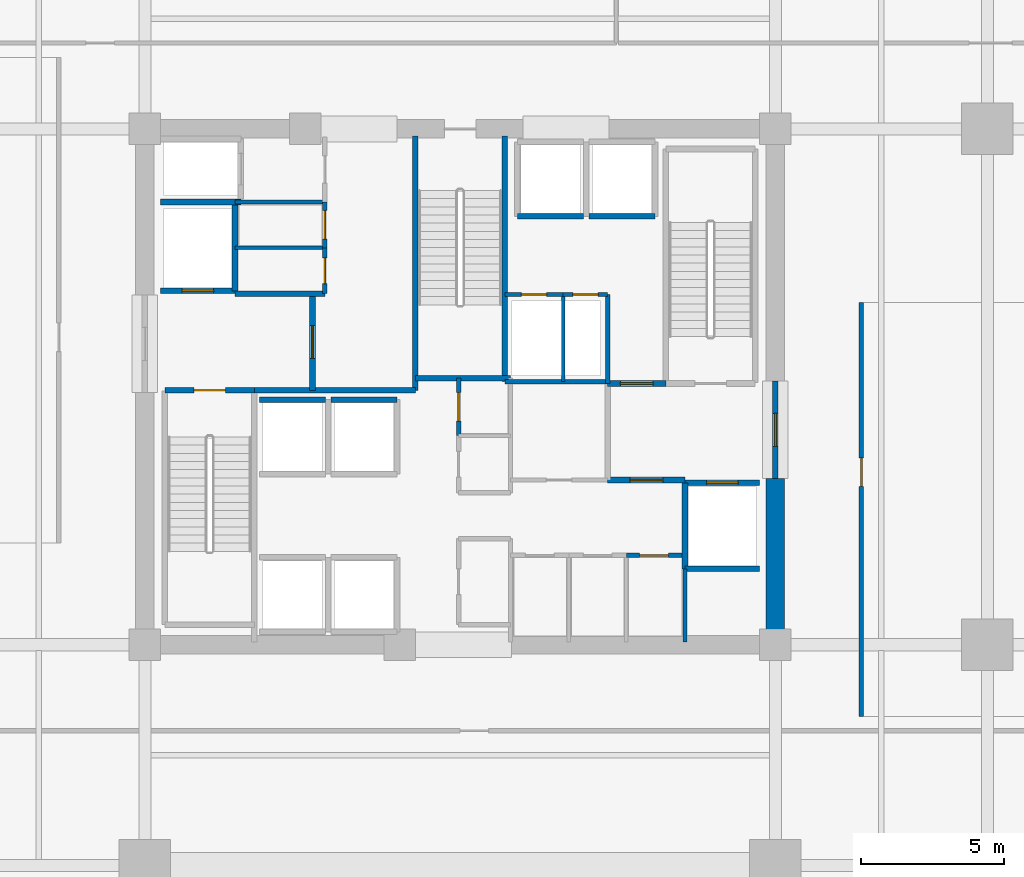
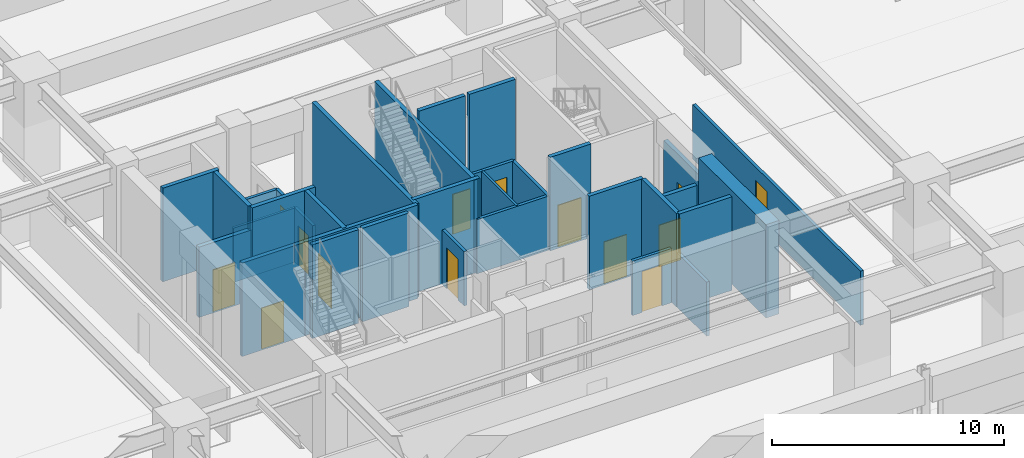
# One storey, part 36 of 43: 34 walls, 14 doors, 14 openings.
"""IFC4 building model written with IfcOpenShell, lengths in metres."""

from ifc_helpers import new_model, si_unit, direction, frame, frame_2d, origin, place, context, subcontext, project, spatial, rectangle, extrude, material, layer, layer_set, type_object, element, fill, save


model = new_model("IFC4")

# Units and contexts
model_context = context("Model", 3, precision=1e-05, world=origin(), true_north=direction((0.0, 1.0)))
body_context = subcontext(model_context, "Body", "Model", "MODEL_VIEW")
ifc_project = project(units=[si_unit("LENGTHUNIT", "METRE"), si_unit("AREAUNIT", "SQUARE_METRE"), si_unit("VOLUMEUNIT", "CUBIC_METRE"), si_unit("PLANEANGLEUNIT", "RADIAN"), si_unit("MASSUNIT", "GRAM", prefix="KILO")], contexts=[model_context])

# Site, building, storey
site_placement = place(None, origin())
site = spatial("IfcSite", under=ifc_project, at=site_placement, CompositionType="ELEMENT")
building_placement = place(site_placement, origin())
building = spatial("IfcBuilding", under=site, at=building_placement, Name="Kovane Verandah Tower", CompositionType="ELEMENT")
storey_placement = place(building_placement, frame((0.0, 0.0, 11.199951171875)))
storey = spatial("IfcBuildingStorey", under=building, at=storey_placement, Name="L02", CompositionType="ELEMENT", Elevation=11.199951171875)

# Wall, opening, door
ifc_material_1 = material(Name="Fire-Rated Gypsum Stud Partition", Category="gypsum")
ifc_layer_1 = layer(ifc_material_1, 0.14990234375)
ifc_layer_set_1 = layer_set([ifc_layer_1], Name="Fire-Rated Gypsum Stud Partition")
wall_type_1 = type_object("IfcWallType", Name="WL-COR-150", PredefinedType="PARTITIONING", material=ifc_layer_set_1)
wall_1_placement = place(storey_placement, frame((39.949951171875, 25.800048828125, 0.0), z_axis=(0.0, 0.0, 1.0), x_axis=(0.0, 1.0, 0.0)))
wall_1 = element("IfcWall", 1, at=wall_1_placement, inside=storey, type_object=wall_type_1, Name="L02 Central First Aid and Wellness Room Partition", PredefinedType="PARTITIONING", context=body_context, shape_type="SweptSolid", body=[
    extrude(rectangle(XDim=2.0, YDim=0.14990234375, at=frame_2d((1.0, 0.0))), origin(), (0.0, 0.0, 1.0), 2.85009765625),
])
opening_1_placement = place(wall_1_placement, frame((0.5, 0.0, 0.0)))
opening_1 = element("IfcOpeningElement", 2, at=opening_1_placement, cuts=wall_1, Name="Opening DR-L02-025", PredefinedType="OPENING", context=body_context, shape_type="SweptSolid", body=[
    extrude(rectangle(XDim=1.0, YDim=2.14990234375, at=frame_2d((0.5, 1.074951171875))), frame((0.0, 0.074951171875, 0.0), z_axis=(0.0, -1.0, 0.0), x_axis=(1.0, 0.0, 0.0)), (0.0, 0.0, 1.0), 0.14990234375),
])
ifc_material_2 = material(Name="FSC Spotted-Gum Timber Fire-Rated Office Door", Category="wood")
door_type_1 = type_object("IfcDoorType", Name="DR-OFF-1000", OperationType="SINGLE_SWING_LEFT", PredefinedType="DOOR", material=ifc_material_2)
door_1_placement = place(opening_1_placement, origin())
door_1 = element("IfcDoor", 3, at=door_1_placement, inside=storey, type_object=door_type_1, Name="L02 Central First Aid and Wellness Room Door", OperationType="SINGLE_SWING_LEFT", OverallHeight=2.14990234375, OverallWidth=1.0, PredefinedType="DOOR", context=body_context, shape_type="SweptSolid", body=[
    extrude(rectangle(XDim=1.0, YDim=2.14990234375, at=frame_2d((0.5, 1.074951171875))), frame((0.0, 0.02490234375, 0.0), z_axis=(0.0, -1.0, 0.0), x_axis=(1.0, 0.0, 0.0)), (0.0, 0.0, 1.0), 0.050048828125),
])
fill(opening_1, door_1)

# Wall
wall_2_placement = place(storey_placement, frame((32.14990234375, 33.949951171875, 0.0), z_axis=(0.0, 0.0, 1.0), x_axis=(1.0, 0.0, 0.0)))
element("IfcWall", 4, at=wall_2_placement, inside=storey, type_object=wall_type_1, Name="L02 Goods Lift Lobby South Wall", PredefinedType="PARTITIONING", context=body_context, shape_type="SweptSolid", body=[
    extrude(rectangle(XDim=3.130126953125, YDim=0.14990234375, at=frame_2d((1.56494140625, 0.0))), origin(), (0.0, 0.0, 1.0), 2.85009765625),
])

# Wall, opening, door
wall_3_placement = place(storey_placement, frame((35.280029296875, 30.75, 0.0), z_axis=(0.0, 0.0, 1.0), x_axis=(0.0, 1.0, 0.0)))
wall_3 = element("IfcWall", 5, at=wall_3_placement, inside=storey, type_object=wall_type_1, Name="L02 Accessible Unisex Toilet Partition", PredefinedType="PARTITIONING", context=body_context, shape_type="SweptSolid", body=[
    extrude(rectangle(XDim=1.60009765625, YDim=0.14990234375, at=frame_2d((0.800048828125, 0.0))), origin(), (0.0, 0.0, 1.0), 2.85009765625),
])
opening_2_placement = place(wall_3_placement, frame((0.35009765625, 0.0, 0.0)))
opening_2 = element("IfcOpeningElement", 6, at=opening_2_placement, cuts=wall_3, Name="Opening DR-L02-027", PredefinedType="OPENING", context=body_context, shape_type="SweptSolid", body=[
    extrude(rectangle(XDim=0.89990234375, YDim=2.10009765625, at=frame_2d((0.449951171875, 1.050048828125))), frame((0.0, 0.074951171875, 0.0), z_axis=(0.0, -1.0, 0.0), x_axis=(1.0, 0.0, 0.0)), (0.0, 0.0, 1.0), 0.14990234375),
])
ifc_material_3 = material(Name="Moisture-Resistant Laminate Washroom Door", Category="wood")
door_type_2 = type_object("IfcDoorType", Name="DR-WC-900", OperationType="SINGLE_SWING_LEFT", PredefinedType="DOOR", material=ifc_material_3)
door_2_placement = place(opening_2_placement, origin())
door_2 = element("IfcDoor", 7, at=door_2_placement, inside=storey, type_object=door_type_2, Name="L02 Accessible Unisex Toilet Door", OperationType="SINGLE_SWING_LEFT", OverallHeight=2.10009765625, OverallWidth=0.89990234375, PredefinedType="DOOR", context=body_context, shape_type="SweptSolid", body=[
    extrude(rectangle(XDim=0.89990234375, YDim=2.10009765625, at=frame_2d((0.449951171875, 1.050048828125))), frame((0.0, 0.02490234375, 0.0), z_axis=(0.0, -1.0, 0.0), x_axis=(1.0, 0.0, 0.0)), (0.0, 0.0, 1.0), 0.050048828125),
])
fill(opening_2, door_2)

wall_4_placement = place(storey_placement, frame((35.280029296875, 32.35009765625, 0.0), z_axis=(0.0, 0.0, 1.0), x_axis=(0.0, 1.0, 0.0)))
wall_4 = element("IfcWall", 8, at=wall_4_placement, inside=storey, type_object=wall_type_1, Name="L02 North-West First Aid Room Partition", PredefinedType="PARTITIONING", context=body_context, shape_type="SweptSolid", body=[
    extrude(rectangle(XDim=1.599853515625, YDim=0.14990234375, at=frame_2d((0.7998046875, 0.0))), origin(), (0.0, 0.0, 1.0), 2.85009765625),
])
opening_3_placement = place(wall_4_placement, frame((0.300048828125, 0.0, 0.0)))
opening_3 = element("IfcOpeningElement", 9, at=opening_3_placement, cuts=wall_4, Name="Opening DR-L02-014", PredefinedType="OPENING", context=body_context, shape_type="SweptSolid", body=[
    extrude(rectangle(XDim=1.0, YDim=2.14990234375, at=frame_2d((0.5, 1.074951171875))), frame((0.0, 0.074951171875, 0.0), z_axis=(0.0, -1.0, 0.0), x_axis=(1.0, 0.0, 0.0)), (0.0, 0.0, 1.0), 0.14990234375),
])
door_3_placement = place(opening_3_placement, origin())
door_3 = element("IfcDoor", 10, at=door_3_placement, inside=storey, type_object=door_type_1, Name="L02 North-West First Aid Room Door", OperationType="SINGLE_SWING_RIGHT", OverallHeight=2.14990234375, OverallWidth=1.0, PredefinedType="DOOR", context=body_context, shape_type="SweptSolid", body=[
    extrude(rectangle(XDim=1.0, YDim=2.14990234375, at=frame_2d((0.5, 1.074951171875))), frame((0.0, 0.02490234375, 0.0), z_axis=(0.0, -1.0, 0.0), x_axis=(1.0, 0.0, 0.0)), (0.0, 0.0, 1.0), 0.050048828125),
])
fill(opening_3, door_3)

# Walls
wall_5_placement = place(storey_placement, frame((41.56005859375, 27.679931640625, 0.0), z_axis=(0.0, 0.0, 1.0), x_axis=(1.0, 0.0, 0.0)))
element("IfcWall", 11, at=wall_5_placement, inside=storey, type_object=wall_type_1, Name="L02 East Core Service Riser South Wall", PredefinedType="PARTITIONING", context=body_context, shape_type="SweptSolid", body=[
    extrude(rectangle(XDim=3.58984375, YDim=0.14990234375, at=frame_2d((1.794921875, 0.0))), origin(), (0.0, 0.0, 1.0), 2.85009765625),
])
wall_6_placement = place(storey_placement, frame((47.85009765625, 18.60009765625, 0.0), z_axis=(0.0, 0.0, 1.0), x_axis=(0.0, 1.0, 0.0)))
element("IfcWall", 12, at=wall_6_placement, inside=storey, type_object=wall_type_1, Name="L02 East Core Support East Wall", PredefinedType="PARTITIONING", context=body_context, shape_type="SweptSolid", body=[
    extrude(rectangle(XDim=2.539794921875, YDim=0.14990234375, at=frame_2d((1.27001953125, 0.0))), origin(), (0.0, 0.0, 1.0), 2.85009765625),
])

# Wall, opening, door
wall_7_placement = place(storey_placement, frame((45.800048828125, 21.6201171875, 0.0), z_axis=(0.0, 0.0, 1.0), x_axis=(1.0, 0.0, 0.0)))
wall_7 = element("IfcWall", 13, at=wall_7_placement, inside=storey, type_object=wall_type_1, Name="L02 Quiet Wellness Room Partition", PredefinedType="PARTITIONING", context=body_context, shape_type="SweptSolid", body=[
    extrude(rectangle(XDim=1.93994140625, YDim=0.14990234375, at=frame_2d((0.969970703125, 0.0))), origin(), (0.0, 0.0, 1.0), 2.85009765625),
])
opening_4_placement = place(wall_7_placement, frame((0.469970703125, 0.0, 0.0)))
opening_4 = element("IfcOpeningElement", 14, at=opening_4_placement, cuts=wall_7, Name="Opening DR-L02-018", PredefinedType="OPENING", context=body_context, shape_type="SweptSolid", body=[
    extrude(rectangle(XDim=1.0, YDim=2.14990234375, at=frame_2d((0.5, 1.074951171875))), frame((0.0, 0.074951171875, 0.0), z_axis=(0.0, -1.0, 0.0), x_axis=(1.0, 0.0, 0.0)), (0.0, 0.0, 1.0), 0.14990234375),
])
door_4_placement = place(opening_4_placement, origin())
door_4 = element("IfcDoor", 15, at=door_4_placement, inside=storey, type_object=door_type_1, Name="L02 Quiet Wellness Room Door", OperationType="SINGLE_SWING_LEFT", OverallHeight=2.14990234375, OverallWidth=1.0, PredefinedType="DOOR", context=body_context, shape_type="SweptSolid", body=[
    extrude(rectangle(XDim=1.0, YDim=2.14990234375, at=frame_2d((0.5, 1.074951171875))), frame((0.0, 0.02490234375, 0.0), z_axis=(0.0, -1.0, 0.0), x_axis=(1.0, 0.0, 0.0)), (0.0, 0.0, 1.0), 0.050048828125),
])
fill(opening_4, door_4)

# Wall
wall_8_placement = place(storey_placement, frame((45.14990234375, 27.6201171875, 0.0), z_axis=(0.0, 0.0, 1.0), x_axis=(0.0, 1.0, 0.0)))
element("IfcWall", 16, at=wall_8_placement, inside=storey, type_object=wall_type_1, Name="L02 East Core Service Riser East Wall", PredefinedType="PARTITIONING", context=body_context, shape_type="SweptSolid", body=[
    extrude(rectangle(XDim=3.099853515625, YDim=0.14990234375, at=frame_2d((1.5498046875, 0.0))), origin(), (0.0, 0.0, 1.0), 2.85009765625),
])

# Wall, opening, door
wall_9_placement = place(storey_placement, frame((41.56005859375, 30.719970703125, 0.0), z_axis=(0.0, 0.0, 1.0), x_axis=(1.0, 0.0, 0.0)))
wall_9 = element("IfcWall", 17, at=wall_9_placement, inside=storey, type_object=wall_type_1, Name="L02 Electrical Sub-Main Riser Room Partition", PredefinedType="PARTITIONING", context=body_context, shape_type="SweptSolid", body=[
    extrude(rectangle(XDim=2.0400390625, YDim=0.14990234375, at=frame_2d((1.02001953125, 0.0))), origin(), (0.0, 0.0, 1.0), 2.85009765625),
])
opening_5_placement = place(wall_9_placement, frame((0.580078125, 0.0, 0.0)))
opening_5 = element("IfcOpeningElement", 18, at=opening_5_placement, cuts=wall_9, Name="Opening DR-L02-020", PredefinedType="OPENING", context=body_context, shape_type="SweptSolid", body=[
    extrude(rectangle(XDim=0.8798828125, YDim=2.10009765625, at=frame_2d((0.43994140625, 1.050048828125))), frame((0.0, 0.074951171875, 0.0), z_axis=(0.0, -1.0, 0.0), x_axis=(1.0, 0.0, 0.0)), (0.0, 0.0, 1.0), 0.14990234375),
])
ifc_material_4 = material(Name="Fire-Rated Steel Riser Access Door", Category="steel")
door_type_3 = type_object("IfcDoorType", Name="DR-RISER-880", OperationType="SINGLE_SWING_LEFT", PredefinedType="DOOR", material=ifc_material_4)
door_5_placement = place(opening_5_placement, origin())
door_5 = element("IfcDoor", 19, at=door_5_placement, inside=storey, type_object=door_type_3, Name="L02 Electrical Sub-Main Riser Room Door", OperationType="SINGLE_SWING_LEFT", OverallHeight=2.10009765625, OverallWidth=0.8798828125, PredefinedType="DOOR", context=body_context, shape_type="SweptSolid", body=[
    extrude(rectangle(XDim=0.8798828125, YDim=2.10009765625, at=frame_2d((0.43994140625, 1.050048828125))), frame((0.0, 0.02490234375, 0.0), z_axis=(0.0, -1.0, 0.0), x_axis=(1.0, 0.0, 0.0)), (0.0, 0.0, 1.0), 0.050048828125),
])
fill(opening_5, door_5)

wall_10_placement = place(storey_placement, frame((43.60009765625, 30.719970703125, 0.0), z_axis=(0.0, 0.0, 1.0), x_axis=(1.0, 0.0, 0.0)))
wall_10 = element("IfcWall", 20, at=wall_10_placement, inside=storey, type_object=wall_type_1, Name="L02 Sprinkler Wet Riser Room Partition", PredefinedType="PARTITIONING", context=body_context, shape_type="SweptSolid", body=[
    extrude(rectangle(XDim=1.5498046875, YDim=0.14990234375, at=frame_2d((0.77490234375, 0.0))), origin(), (0.0, 0.0, 1.0), 2.85009765625),
])
opening_6_placement = place(wall_10_placement, frame((0.3349609375, 0.0, 0.0)))
opening_6 = element("IfcOpeningElement", 21, at=opening_6_placement, cuts=wall_10, Name="Opening DR-L02-021", PredefinedType="OPENING", context=body_context, shape_type="SweptSolid", body=[
    extrude(rectangle(XDim=0.8798828125, YDim=2.10009765625, at=frame_2d((0.43994140625, 1.050048828125))), frame((0.0, 0.074951171875, 0.0), z_axis=(0.0, -1.0, 0.0), x_axis=(1.0, 0.0, 0.0)), (0.0, 0.0, 1.0), 0.14990234375),
])
door_6_placement = place(opening_6_placement, origin())
door_6 = element("IfcDoor", 22, at=door_6_placement, inside=storey, type_object=door_type_3, Name="L02 Sprinkler Wet Riser Room Door", OperationType="SINGLE_SWING_RIGHT", OverallHeight=2.10009765625, OverallWidth=0.8798828125, PredefinedType="DOOR", context=body_context, shape_type="SweptSolid", body=[
    extrude(rectangle(XDim=0.8798828125, YDim=2.10009765625, at=frame_2d((0.43994140625, 1.050048828125))), frame((0.0, 0.02490234375, 0.0), z_axis=(0.0, -1.0, 0.0), x_axis=(1.0, 0.0, 0.0)), (0.0, 0.0, 1.0), 0.050048828125),
])
fill(opening_6, door_6)

wall_11_placement = place(storey_placement, frame((54.0, 16.0, 0.0), z_axis=(0.0, 0.0, 1.0), x_axis=(0.0, 1.0, 0.0)))
wall_11 = element("IfcWall", 23, at=wall_11_placement, inside=storey, type_object=wall_type_1, Name="L02 East Tenant Business Lounge Corridor Partition", PredefinedType="PARTITIONING", context=body_context, shape_type="SweptSolid", body=[
    extrude(rectangle(XDim=14.449951171875, YDim=0.14990234375, at=frame_2d((7.22509765625, 0.0))), origin(), (0.0, 0.0, 1.0), 2.85009765625),
])
opening_7_placement = place(wall_11_placement, frame((8.02490234375, 0.0, 0.0)))
opening_7 = element("IfcOpeningElement", 24, at=opening_7_placement, cuts=wall_11, Name="Opening DR-L02-015", PredefinedType="OPENING", context=body_context, shape_type="SweptSolid", body=[
    extrude(rectangle(XDim=1.0, YDim=2.14990234375, at=frame_2d((0.5, 1.074951171875))), frame((0.0, 0.074951171875, 0.0), z_axis=(0.0, -1.0, 0.0), x_axis=(1.0, 0.0, 0.0)), (0.0, 0.0, 1.0), 0.14990234375),
])
door_7_placement = place(opening_7_placement, origin())
door_7 = element("IfcDoor", 25, at=door_7_placement, inside=storey, type_object=door_type_1, Name="L02 East Tenant Business Lounge Entrance Door", OperationType="SINGLE_SWING_LEFT", OverallHeight=2.14990234375, OverallWidth=1.0, PredefinedType="DOOR", context=body_context, shape_type="SweptSolid", body=[
    extrude(rectangle(XDim=1.0, YDim=2.14990234375, at=frame_2d((0.5, 1.074951171875))), frame((0.0, 0.02490234375, 0.0), z_axis=(0.0, -1.0, 0.0), x_axis=(1.0, 0.0, 0.0)), (0.0, 0.0, 1.0), 0.050048828125),
])
fill(opening_7, door_7)

# Wall
ifc_material_5 = material(Name="Concrete C80/95", Category="concrete")
ifc_layer_2 = layer(ifc_material_5, 0.64990234375)
ifc_layer_set_2 = layer_set([ifc_layer_2], Name="Concrete C80/95")
wall_type_2 = type_object("IfcWallType", Name="WL-CORE-650", PredefinedType="SHEAR", material=ifc_layer_set_2)
wall_12_placement = place(storey_placement, frame((51.0, 18.5, 0.0), z_axis=(0.0, 0.0, 1.0), x_axis=(0.0, 1.0, 0.0)))
element("IfcWall", 26, at=wall_12_placement, inside=storey, type_object=wall_type_2, Name="L02 Core Shear Wall CE-1", PredefinedType="SHEAR", context=body_context, shape_type="SweptSolid", body=[
    extrude(rectangle(XDim=5.800048828125, YDim=0.64990234375, at=frame_2d((2.89990234375, 0.0))), origin(), (0.0, 0.0, 1.0), 4.920166015625),
])

# Wall, opening, door
ifc_material_6 = material(Name="Concrete C45/55 Fire Wall", Category="concrete")
ifc_layer_3 = layer(ifc_material_6, 0.199951171875)
ifc_layer_set_3 = layer_set([ifc_layer_3], Name="Concrete C45/55 Fire Wall")
wall_type_3 = type_object("IfcWallType", Name="WL-FFL-200", PredefinedType="PARTITIONING", material=ifc_layer_set_3)
wall_13_placement = place(storey_placement, frame((34.85009765625, 27.3798828125, 0.0), z_axis=(0.0, 0.0, 1.0), x_axis=(0.0, 1.0, 0.0)))
wall_13 = element("IfcWall", 27, at=wall_13_placement, inside=storey, type_object=wall_type_3, Name="W-L02-FFLW-E", PredefinedType="PARTITIONING", context=body_context, shape_type="SweptSolid", body=[
    extrude(rectangle(XDim=3.3701171875, YDim=0.199951171875, at=frame_2d((1.68505859375, 0.0))), origin(), (0.0, 0.0, 1.0), 4.920166015625),
])
opening_8_placement = place(wall_13_placement, frame((1.110107421875, 0.0, 0.0)))
opening_8 = element("IfcOpeningElement", 28, at=opening_8_placement, cuts=wall_13, Name="Opening DR-L02-004", PredefinedType="OPENING", context=body_context, shape_type="SweptSolid", body=[
    extrude(rectangle(XDim=1.14990234375, YDim=2.199951171875, at=frame_2d((0.574951171875, 1.10009765625))), frame((0.0, 0.10009765625, 0.0), z_axis=(0.0, -1.0, 0.0), x_axis=(1.0, 0.0, 0.0)), (0.0, 0.0, 1.0), 0.199951171875),
])
ifc_material_7 = material(Name="Smoke-Sealed Firefighting Lobby Door", Category="steel")
door_type_4 = type_object("IfcDoorType", Name="DR-FFL-1150", OperationType="SINGLE_SWING_LEFT", PredefinedType="DOOR", material=ifc_material_7)
door_8_placement = place(opening_8_placement, origin())
door_8 = element("IfcDoor", 29, at=door_8_placement, inside=storey, type_object=door_type_4, Name="L02 West Firefighting Lobby Inner Door", OperationType="SINGLE_SWING_LEFT", OverallHeight=2.199951171875, OverallWidth=1.14990234375, PredefinedType="DOOR", context=body_context, shape_type="SweptSolid", body=[
    extrude(rectangle(XDim=1.14990234375, YDim=2.199951171875, at=frame_2d((0.574951171875, 1.10009765625))), frame((0.0, 0.02490234375, 0.0), z_axis=(0.0, -1.0, 0.0), x_axis=(1.0, 0.0, 0.0)), (0.0, 0.0, 1.0), 0.050048828125),
])
fill(opening_8, door_8)

# Walls
wall_14_placement = place(storey_placement, frame((32.820068359375, 27.3798828125, 0.0), z_axis=(0.0, 0.0, 1.0), x_axis=(1.0, 0.0, 0.0)))
element("IfcWall", 30, at=wall_14_placement, inside=storey, type_object=wall_type_3, Name="L02 West Firefighting Lobby South Fire Wall", PredefinedType="PARTITIONING", context=body_context, shape_type="SweptSolid", body=[
    extrude(rectangle(XDim=5.619873046875, YDim=0.199951171875, at=frame_2d((2.81005859375, 0.0))), origin(), (0.0, 0.0, 1.0), 4.920166015625),
])
wall_15_placement = place(storey_placement, frame((32.14990234375, 30.75, 0.0), z_axis=(0.0, 0.0, 1.0), x_axis=(1.0, 0.0, 0.0)))
element("IfcWall", 31, at=wall_15_placement, inside=storey, type_object=wall_type_3, Name="L02 West Firefighting Lobby North Fire Wall", PredefinedType="PARTITIONING", context=body_context, shape_type="SweptSolid", body=[
    extrude(rectangle(XDim=3.130126953125, YDim=0.199951171875, at=frame_2d((1.56494140625, 0.0))), origin(), (0.0, 0.0, 1.0), 4.920166015625),
])

# Wall, opening, door
wall_16_placement = place(storey_placement, frame((45.14990234375, 24.25, 0.0), z_axis=(0.0, 0.0, 1.0), x_axis=(1.0, 0.0, 0.0)))
wall_16 = element("IfcWall", 32, at=wall_16_placement, inside=storey, type_object=wall_type_3, Name="W-L02-FFLE-S", PredefinedType="PARTITIONING", context=body_context, shape_type="SweptSolid", body=[
    extrude(rectangle(XDim=2.7001953125, YDim=0.199951171875, at=frame_2d((1.35009765625, 0.0))), origin(), (0.0, 0.0, 1.0), 4.920166015625),
])
opening_9_placement = place(wall_16_placement, frame((0.77490234375, 0.0, 0.0)))
opening_9 = element("IfcOpeningElement", 33, at=opening_9_placement, cuts=wall_16, Name="Opening DR-L02-001", PredefinedType="OPENING", context=body_context, shape_type="SweptSolid", body=[
    extrude(rectangle(XDim=1.14990234375, YDim=2.199951171875, at=frame_2d((0.574951171875, 1.10009765625))), frame((0.0, 0.10009765625, 0.0), z_axis=(0.0, -1.0, 0.0), x_axis=(1.0, 0.0, 0.0)), (0.0, 0.0, 1.0), 0.199951171875),
])
door_9_placement = place(opening_9_placement, origin())
door_9 = element("IfcDoor", 34, at=door_9_placement, inside=storey, type_object=door_type_4, Name="L02 East Firefighting Lobby Inner Door", OperationType="SINGLE_SWING_RIGHT", OverallHeight=2.199951171875, OverallWidth=1.14990234375, PredefinedType="DOOR", context=body_context, shape_type="SweptSolid", body=[
    extrude(rectangle(XDim=1.14990234375, YDim=2.199951171875, at=frame_2d((0.574951171875, 1.10009765625))), frame((0.0, 0.02490234375, 0.0), z_axis=(0.0, -1.0, 0.0), x_axis=(1.0, 0.0, 0.0)), (0.0, 0.0, 1.0), 0.050048828125),
])
fill(opening_9, door_9)

wall_17_placement = place(storey_placement, frame((45.14990234375, 27.6201171875, 0.0), z_axis=(0.0, 0.0, 1.0), x_axis=(1.0, 0.0, 0.0)))
wall_17 = element("IfcWall", 35, at=wall_17_placement, inside=storey, type_object=wall_type_3, Name="W-L02-FFLE-N", PredefinedType="PARTITIONING", context=body_context, shape_type="SweptSolid", body=[
    extrude(rectangle(XDim=2.030029296875, YDim=0.199951171875, at=frame_2d((1.01513671875, 0.0))), origin(), (0.0, 0.0, 1.0), 4.920166015625),
])
opening_10_placement = place(wall_17_placement, frame((0.43994140625, 0.0, 0.0)))
opening_10 = element("IfcOpeningElement", 36, at=opening_10_placement, cuts=wall_17, Name="Opening DR-L02-002", PredefinedType="OPENING", context=body_context, shape_type="SweptSolid", body=[
    extrude(rectangle(XDim=1.14990234375, YDim=2.199951171875, at=frame_2d((0.574951171875, 1.10009765625))), frame((0.0, 0.10009765625, 0.0), z_axis=(0.0, -1.0, 0.0), x_axis=(1.0, 0.0, 0.0)), (0.0, 0.0, 1.0), 0.199951171875),
])
door_10_placement = place(opening_10_placement, origin())
door_10 = element("IfcDoor", 37, at=door_10_placement, inside=storey, type_object=door_type_4, Name="L02 East Firefighting Lobby Shuttle Link Door", OperationType="SINGLE_SWING_LEFT", OverallHeight=2.199951171875, OverallWidth=1.14990234375, PredefinedType="DOOR", context=body_context, shape_type="SweptSolid", body=[
    extrude(rectangle(XDim=1.14990234375, YDim=2.199951171875, at=frame_2d((0.574951171875, 1.10009765625))), frame((0.0, 0.02490234375, 0.0), z_axis=(0.0, -1.0, 0.0), x_axis=(1.0, 0.0, 0.0)), (0.0, 0.0, 1.0), 0.050048828125),
])
fill(opening_10, door_10)

wall_18_placement = place(storey_placement, frame((51.0, 24.300048828125, 0.0), z_axis=(0.0, 0.0, 1.0), x_axis=(0.0, 1.0, 0.0)))
wall_18 = element("IfcWall", 38, at=wall_18_placement, inside=storey, type_object=wall_type_3, Name="W-L02-FFLE-OUT", PredefinedType="PARTITIONING", context=body_context, shape_type="SweptSolid", body=[
    extrude(rectangle(XDim=3.39990234375, YDim=0.199951171875, at=frame_2d((1.699951171875, 0.0))), origin(), (0.0, 0.0, 1.0), 3.699951171875),
])
opening_11_placement = place(wall_18_placement, frame((1.125, 0.0, 0.0)))
opening_11 = element("IfcOpeningElement", 39, at=opening_11_placement, cuts=wall_18, Name="Opening DR-L02-003", PredefinedType="OPENING", context=body_context, shape_type="SweptSolid", body=[
    extrude(rectangle(XDim=1.14990234375, YDim=2.199951171875, at=frame_2d((0.574951171875, 1.10009765625))), frame((0.0, 0.10009765625, 0.0), z_axis=(0.0, -1.0, 0.0), x_axis=(1.0, 0.0, 0.0)), (0.0, 0.0, 1.0), 0.199951171875),
])
door_11_placement = place(opening_11_placement, origin())
door_11 = element("IfcDoor", 40, at=door_11_placement, inside=storey, type_object=door_type_4, Name="L02 East Firefighting Lobby Corridor Door", OperationType="SINGLE_SWING_LEFT", OverallHeight=2.199951171875, OverallWidth=1.14990234375, PredefinedType="DOOR", context=body_context, shape_type="SweptSolid", body=[
    extrude(rectangle(XDim=1.14990234375, YDim=2.199951171875, at=frame_2d((0.574951171875, 1.10009765625))), frame((0.0, 0.02490234375, 0.0), z_axis=(0.0, -1.0, 0.0), x_axis=(1.0, 0.0, 0.0)), (0.0, 0.0, 1.0), 0.050048828125),
])
fill(opening_11, door_11)

ifc_material_8 = material(Name="Concrete C45/55 Lift Shaft Wall", Category="concrete")
ifc_layer_4 = layer(ifc_material_8, 0.199951171875)
ifc_layer_set_4 = layer_set([ifc_layer_4], Name="Concrete C45/55 Lift Shaft Wall")
wall_type_4 = type_object("IfcWallType", Name="WL-LIFT-200", PredefinedType="SOLIDWALL", material=ifc_layer_set_4)
wall_19_placement = place(storey_placement, frame((29.550048828125, 30.85009765625, 0.0), z_axis=(0.0, 0.0, 1.0), x_axis=(1.0, 0.0, 0.0)))
wall_19 = element("IfcWall", 41, at=wall_19_placement, inside=storey, type_object=wall_type_4, Name="L02 Lift FL-01 S Shaft Wall", PredefinedType="SOLIDWALL", context=body_context, shape_type="SweptSolid", body=[
    extrude(rectangle(XDim=2.599853515625, YDim=0.199951171875, at=frame_2d((1.2998046875, 0.0))), origin(), (0.0, 0.0, 1.0), 3.699951171875),
])
opening_12_placement = place(wall_19_placement, frame((0.75, 0.0, 0.0)))
opening_12 = element("IfcOpeningElement", 42, at=opening_12_placement, cuts=wall_19, Name="Opening LD-L02-001", PredefinedType="OPENING", context=body_context, shape_type="SweptSolid", body=[
    extrude(rectangle(XDim=1.10009765625, YDim=2.199951171875, at=frame_2d((0.550048828125, 1.10009765625))), frame((0.0, 0.10009765625, 0.0), z_axis=(0.0, -1.0, 0.0), x_axis=(1.0, 0.0, 0.0)), (0.0, 0.0, 1.0), 0.199951171875),
])
ifc_material_9 = material(Name="Brushed Stainless Steel Sliding Lift Landing Door", Category="steel")
door_type_5 = type_object("IfcDoorType", Name="DR-LIFT-1100", OperationType="SLIDING_TO_RIGHT", PredefinedType="DOOR", material=ifc_material_9)
door_12_placement = place(opening_12_placement, origin())
door_12 = element("IfcDoor", 43, at=door_12_placement, inside=storey, type_object=door_type_5, Name="L02 Lift FL-01 Sliding Landing Door", OperationType="SLIDING_TO_RIGHT", OverallHeight=2.199951171875, OverallWidth=1.10009765625, PredefinedType="DOOR", context=body_context, shape_type="SweptSolid", body=[
    extrude(rectangle(XDim=1.10009765625, YDim=2.199951171875, at=frame_2d((0.550048828125, 1.10009765625))), frame((0.0, 0.02490234375, 0.0), z_axis=(0.0, -1.0, 0.0), x_axis=(1.0, 0.0, 0.0)), (0.0, 0.0, 1.0), 0.050048828125),
])
fill(opening_12, door_12)

# Walls
wall_20_placement = place(storey_placement, frame((29.550048828125, 33.949951171875, 0.0), z_axis=(0.0, 0.0, 1.0), x_axis=(1.0, 0.0, 0.0)))
element("IfcWall", 44, at=wall_20_placement, inside=storey, type_object=wall_type_4, Name="L02 Lift FL-01 and GL-01 Shared Shaft Wall", PredefinedType="SOLIDWALL", context=body_context, shape_type="SweptSolid", body=[
    extrude(rectangle(XDim=2.800048828125, YDim=0.199951171875, at=frame_2d((1.39990234375, 0.0))), origin(), (0.0, 0.0, 1.0), 4.920166015625),
])
wall_21_placement = place(storey_placement, frame((32.14990234375, 30.85009765625, 0.0), z_axis=(0.0, 0.0, 1.0), x_axis=(0.0, 1.0, 0.0)))
element("IfcWall", 45, at=wall_21_placement, inside=storey, type_object=wall_type_4, Name="L02 Lift FL-01 E Shaft Wall", PredefinedType="SOLIDWALL", context=body_context, shape_type="SweptSolid", body=[
    extrude(rectangle(XDim=3.0, YDim=0.199951171875, at=frame_2d((1.5, 0.0))), origin(), (0.0, 0.0, 1.0), 4.920166015625),
])
wall_22_placement = place(storey_placement, frame((47.85009765625, 21.14990234375, 0.0), z_axis=(0.0, 0.0, 1.0), x_axis=(1.0, 0.0, 0.0)))
element("IfcWall", 46, at=wall_22_placement, inside=storey, type_object=wall_type_4, Name="L02 Lift FL-02 S Shaft Wall", PredefinedType="SOLIDWALL", context=body_context, shape_type="SweptSolid", body=[
    extrude(rectangle(XDim=2.599853515625, YDim=0.199951171875, at=frame_2d((1.2998046875, 0.0))), origin(), (0.0, 0.0, 1.0), 4.920166015625),
])

# Wall, opening, door
wall_23_placement = place(storey_placement, frame((50.449951171875, 24.14990234375, 0.0), z_axis=(0.0, 0.0, 1.0), x_axis=(-1.0, 0.0, 0.0)))
wall_23 = element("IfcWall", 47, at=wall_23_placement, inside=storey, type_object=wall_type_4, Name="L02 Lift FL-02 N Shaft Wall", PredefinedType="SOLIDWALL", context=body_context, shape_type="SweptSolid", body=[
    extrude(rectangle(XDim=2.599853515625, YDim=0.199951171875, at=frame_2d((1.2998046875, 0.0))), origin(), (0.0, 0.0, 1.0), 3.699951171875),
])
opening_13_placement = place(wall_23_placement, frame((0.75, 0.0, 0.0)))
opening_13 = element("IfcOpeningElement", 48, at=opening_13_placement, cuts=wall_23, Name="Opening LD-L02-002", PredefinedType="OPENING", context=body_context, shape_type="SweptSolid", body=[
    extrude(rectangle(XDim=1.10009765625, YDim=2.199951171875, at=frame_2d((0.550048828125, 1.10009765625))), frame((0.0, 0.10009765625, 0.0), z_axis=(0.0, -1.0, 0.0), x_axis=(1.0, 0.0, 0.0)), (0.0, 0.0, 1.0), 0.199951171875),
])
door_13_placement = place(opening_13_placement, origin())
door_13 = element("IfcDoor", 49, at=door_13_placement, inside=storey, type_object=door_type_5, Name="L02 Lift FL-02 Sliding Landing Door", OperationType="SLIDING_TO_RIGHT", OverallHeight=2.199951171875, OverallWidth=1.10009765625, PredefinedType="DOOR", context=body_context, shape_type="SweptSolid", body=[
    extrude(rectangle(XDim=1.10009765625, YDim=2.199951171875, at=frame_2d((0.550048828125, 1.10009765625))), frame((0.0, 0.02490234375, 0.0), z_axis=(0.0, -1.0, 0.0), x_axis=(1.0, 0.0, 0.0)), (0.0, 0.0, 1.0), 0.050048828125),
])
fill(opening_13, door_13)

# Walls
wall_24_placement = place(storey_placement, frame((47.85009765625, 24.14990234375, 0.0), z_axis=(0.0, 0.0, 1.0), x_axis=(0.0, -1.0, 0.0)))
element("IfcWall", 50, at=wall_24_placement, inside=storey, type_object=wall_type_4, Name="L02 Lift FL-02 W Shaft Wall", PredefinedType="SOLIDWALL", context=body_context, shape_type="SweptSolid", body=[
    extrude(rectangle(XDim=3.0, YDim=0.199951171875, at=frame_2d((1.5, 0.0))), origin(), (0.0, 0.0, 1.0), 4.920166015625),
])
for number, where, z_axis, x_axis, name in (
    (51, (35.300048828125, 27.050048828125, 0.0), (0.0, 0.0, 1.0), (-1.0, 0.0, 0.0), "L02 Lift PL-L3 N Shaft Wall"),
    (52, (37.800048828125, 27.050048828125, 0.0), (0.0, 0.0, 1.0), (-1.0, 0.0, 0.0), "L02 Lift PL-L4 N Shaft Wall"),
    (53, (42.0, 33.449951171875, 0.0), (0.0, 0.0, 1.0), (1.0, 0.0, 0.0), "L02 Lift SL-01 S Shaft Wall"),
    (54, (44.5, 33.449951171875, 0.0), (0.0, 0.0, 1.0), (1.0, 0.0, 0.0), "L02 Lift OL-01 S Shaft Wall"),
):
    element("IfcWall", number, at=place(storey_placement, frame(where, z_axis=z_axis, x_axis=x_axis)), inside=storey, type_object=wall_type_4, Name=name, PredefinedType="SOLIDWALL", context=body_context, shape_type="SweptSolid", body=[
        extrude(rectangle(XDim=2.300048828125, YDim=0.199951171875, at=frame_2d((1.14990234375, 0.0))), origin(), (0.0, 0.0, 1.0), 4.920166015625),
    ])
ifc_material_10 = material(Name="Acoustic Fire-Rated Gypsum Partition", Category="gypsum")
ifc_layer_5 = layer(ifc_material_10, 0.1201171875)
ifc_layer_set_5 = layer_set([ifc_layer_5], Name="Acoustic Fire-Rated Gypsum Partition")
wall_type_5 = type_object("IfcWallType", Name="WL-PART-120", PredefinedType="PARTITIONING", material=ifc_layer_set_5)
wall_25_placement = place(storey_placement, frame((32.14990234375, 32.35009765625, 0.0), z_axis=(0.0, 0.0, 1.0), x_axis=(1.0, 0.0, 0.0)))
element("IfcWall", 55, at=wall_25_placement, inside=storey, type_object=wall_type_5, Name="L02 Accessible Washroom and Support Dividing Partition", PredefinedType="PARTITIONING", context=body_context, shape_type="SweptSolid", body=[
    extrude(rectangle(XDim=3.130126953125, YDim=0.1201171875, at=frame_2d((1.56494140625, 0.0))), origin(), (0.0, 0.0, 1.0), 2.85009765625),
])
wall_26_placement = place(storey_placement, frame((43.60009765625, 27.679931640625, 0.0), z_axis=(0.0, 0.0, 1.0), x_axis=(0.0, 1.0, 0.0)))
element("IfcWall", 56, at=wall_26_placement, inside=storey, type_object=wall_type_5, Name="L02 Service Riser Dividing Partition", PredefinedType="PARTITIONING", context=body_context, shape_type="SweptSolid", body=[
    extrude(rectangle(XDim=3.0400390625, YDim=0.1201171875, at=frame_2d((1.52001953125, 0.0))), origin(), (0.0, 0.0, 1.0), 2.85009765625),
])

# Wall, opening, door
ifc_material_11 = material(Name="Concrete C45/55", Category="concrete")
ifc_layer_6 = layer(ifc_material_11, 0.199951171875)
ifc_layer_set_6 = layer_set([ifc_layer_6], Name="Concrete C45/55")
wall_type_6 = type_object("IfcWallType", Name="WL-SHAFT-200", PredefinedType="SOLIDWALL", material=ifc_layer_set_6)
wall_27_placement = place(storey_placement, frame((29.699951171875, 27.3798828125, 0.0), z_axis=(0.0, 0.0, 1.0), x_axis=(1.0, 0.0, 0.0)))
wall_27 = element("IfcWall", 57, at=wall_27_placement, inside=storey, type_object=wall_type_6, Name="W-L02-ST01-N", PredefinedType="SOLIDWALL", context=body_context, shape_type="SweptSolid", body=[
    extrude(rectangle(XDim=3.1201171875, YDim=0.199951171875, at=frame_2d((1.56005859375, 0.0))), origin(), (0.0, 0.0, 1.0), 4.920166015625),
])
opening_14_placement = place(wall_27_placement, frame((1.010009765625, 0.0, 0.0)))
opening_14 = element("IfcOpeningElement", 58, at=opening_14_placement, cuts=wall_27, Name="Opening DR-L02-007", PredefinedType="OPENING", context=body_context, shape_type="SweptSolid", body=[
    extrude(rectangle(XDim=1.10009765625, YDim=2.14990234375, at=frame_2d((0.550048828125, 1.074951171875))), frame((0.0, 0.10009765625, 0.0), z_axis=(0.0, -1.0, 0.0), x_axis=(1.0, 0.0, 0.0)), (0.0, 0.0, 1.0), 0.199951171875),
])
ifc_material_12 = material(Name="Fire-Rated Steel Exit Door", Category="steel")
door_type_6 = type_object("IfcDoorType", Name="DR-STAIR-1100", OperationType="SINGLE_SWING_LEFT", PredefinedType="DOOR", material=ifc_material_12)
door_14_placement = place(opening_14_placement, origin())
door_14 = element("IfcDoor", 59, at=door_14_placement, inside=storey, type_object=door_type_6, Name="L02 ST-01 Fire Exit Stair Door", OperationType="SINGLE_SWING_RIGHT", OverallHeight=2.14990234375, OverallWidth=1.10009765625, PredefinedType="DOOR", context=body_context, shape_type="SweptSolid", body=[
    extrude(rectangle(XDim=1.10009765625, YDim=2.14990234375, at=frame_2d((0.550048828125, 1.074951171875))), frame((0.0, 0.02490234375, 0.0), z_axis=(0.0, -1.0, 0.0), x_axis=(1.0, 0.0, 0.0)), (0.0, 0.0, 1.0), 0.050048828125),
])
fill(opening_14, door_14)

# Walls
wall_28_placement = place(storey_placement, frame((38.43994140625, 27.3798828125, 0.0), z_axis=(0.0, 0.0, 1.0), x_axis=(0.0, 1.0, 0.0)))
element("IfcWall", 60, at=wall_28_placement, inside=storey, type_object=wall_type_6, Name="W-L02-ST03-W", PredefinedType="SOLIDWALL", context=body_context, shape_type="SweptSolid", body=[
    extrude(rectangle(XDim=8.8701171875, YDim=0.199951171875, at=frame_2d((4.43505859375, 0.0))), origin(), (0.0, 0.0, 1.0), 4.920166015625),
])
wall_29_placement = place(storey_placement, frame((41.56005859375, 27.679931640625, 0.0), z_axis=(0.0, 0.0, 1.0), x_axis=(0.0, 1.0, 0.0)))
element("IfcWall", 61, at=wall_29_placement, inside=storey, type_object=wall_type_6, Name="W-L02-ST03-E", PredefinedType="SOLIDWALL", context=body_context, shape_type="SweptSolid", body=[
    extrude(rectangle(XDim=8.570068359375, YDim=0.199951171875, at=frame_2d((4.28515625, 0.0))), origin(), (0.0, 0.0, 1.0), 4.920166015625),
])
wall_30_placement = place(storey_placement, frame((38.43994140625, 27.800048828125, 0.0), z_axis=(0.0, 0.0, 1.0), x_axis=(1.0, 0.0, 0.0)))
element("IfcWall", 62, at=wall_30_placement, inside=storey, type_object=wall_type_6, Name="W-L02-ST03-S", PredefinedType="SOLIDWALL", context=body_context, shape_type="SweptSolid", body=[
    extrude(rectangle(XDim=3.320068359375, YDim=0.199951171875, at=frame_2d((1.66015625, 0.0))), origin(), (0.0, 0.0, 1.0), 4.920166015625),
])

save(model, "model.ifc")
